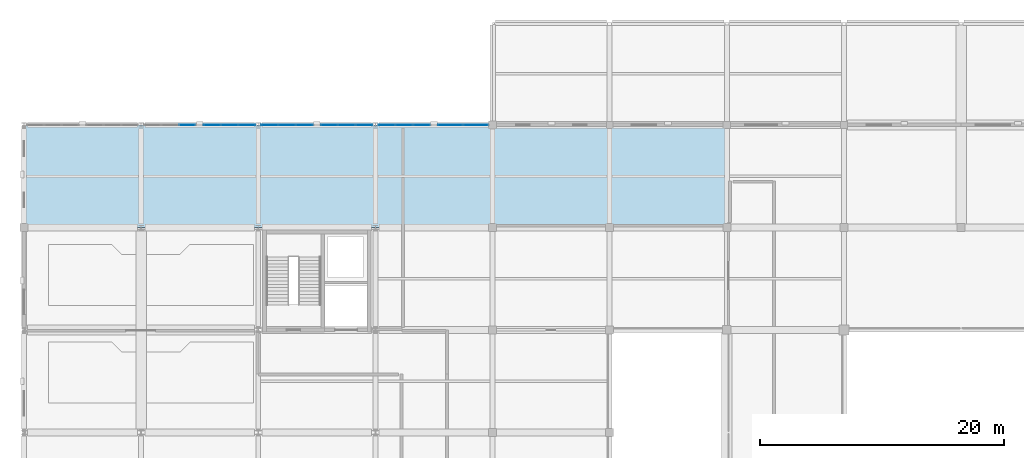
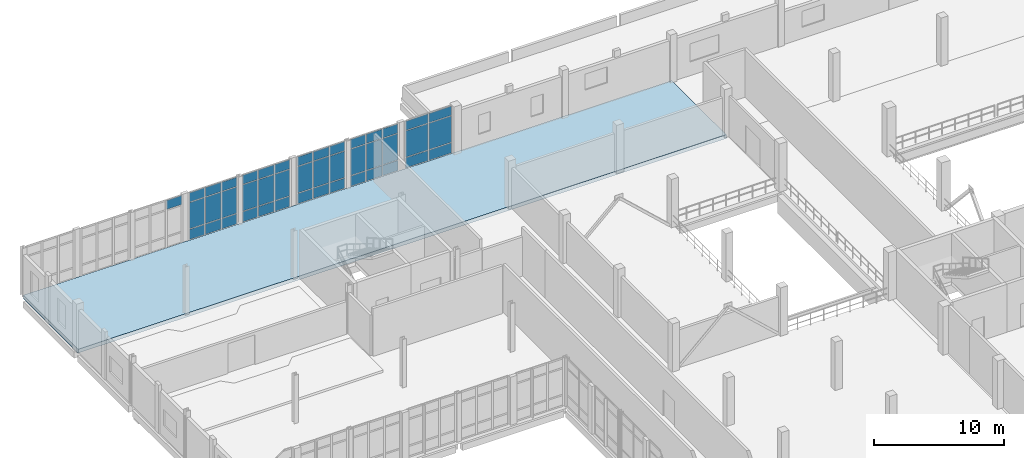
# One storey, part 82 of 102: 43 plates, 1 slab, 6 elements without a shape of their own.
"""IFC4 building model written with IfcOpenShell, lengths in metres."""

from ifc_helpers import new_model, si_unit, direction, frame, origin, origin_2d, place, context, subcontext, project, spatial, polyline, rectangle, outline, extrude, material, layer, layer_set, type_object, element, aggregate, save


model = new_model("IFC4")

# Units and contexts
model_context = context("Model", 3, precision=1e-05, world=origin(), true_north=direction((0.0, 1.0)))
body_context = subcontext(model_context, "Body", "Model", "MODEL_VIEW")
ifc_project = project(units=[si_unit("LENGTHUNIT", "METRE"), si_unit("AREAUNIT", "SQUARE_METRE"), si_unit("VOLUMEUNIT", "CUBIC_METRE"), si_unit("PLANEANGLEUNIT", "RADIAN"), si_unit("MASSUNIT", "GRAM", prefix="KILO")], contexts=[model_context])

# Site, building, storey
site_placement = place(None, origin())
site = spatial("IfcSite", under=ifc_project, at=site_placement, CompositionType="ELEMENT")
building_placement = place(site_placement, origin())
building = spatial("IfcBuilding", under=site, at=building_placement, Name="Lornevale Opera House", CompositionType="ELEMENT")
storey_placement = place(building_placement, frame((0.0, 0.0, 5.39990234375)))
storey = spatial("IfcBuildingStorey", under=building, at=storey_placement, Name="L02", CompositionType="ELEMENT", Elevation=5.39990234375)

# Curtain wall, plate
ifc_material_1 = material(Name="Anodized Oxide-Green Aluminium Framing", Category="aluminium")
ifc_layer_1 = layer(ifc_material_1, 0.175048828125)
ifc_layer_set_1 = layer_set([ifc_layer_1], Name="Anodized Oxide-Green Aluminium Framing")
curtain_wall_type = type_object("IfcCurtainWallType", Name="Chamber Cloister Curtain Wall M1700", PredefinedType="NOTDEFINED", material=ifc_layer_set_1)
curtain_wall_1_placement = place(storey_placement, origin())
curtain_wall_1 = element("IfcCurtainWall", 1, at=curtain_wall_1_placement, inside=storey, type_object=curtain_wall_type, Name="Chamber Cloister Curtain Wall M1700 CW-035", PredefinedType="NOTDEFINED")
ifc_material_2 = material(Name="Triple Low-E Insulated Glazing", Category="glass")
ifc_layer_2 = layer(ifc_material_2, 0.0419921875)
ifc_layer_set_2 = layer_set([ifc_layer_2], Name="Triple Low-E Insulated Glazing")
plate_type = type_object("IfcPlateType", Name="Ceramic Fritted Bird-Safe Panel 42", PredefinedType="CURTAIN_PANEL", material=ifc_layer_set_2)
plate_1_placement = place(storey_placement, frame((13.382568359375, 100.800048828125, 3.6025390625), z_axis=(0.0, 0.0, 1.0), x_axis=(1.0, 0.0, 0.0)))
plate_1 = element("IfcPlate", 2, at=plate_1_placement, type_object=plate_type, Name="Ceramic Fritted Bird-Safe Panel 42 CW0707", PredefinedType="CURTAIN_PANEL", context=body_context, shape_type="SweptSolid", body=[
    extrude(rectangle(XDim=1.3447265625, YDim=0.0419921875, at=origin_2d()), origin(), (0.0, 0.0, 1.0), 0.8525390625),
])
aggregate(curtain_wall_1, [plate_1])

# Curtain wall, plates
curtain_wall_2_placement = place(storey_placement, origin())
curtain_wall_2 = element("IfcCurtainWall", 3, at=curtain_wall_2_placement, inside=storey, type_object=curtain_wall_type, Name="Chamber Cloister Curtain Wall M1700 CW-036", PredefinedType="NOTDEFINED")
plate_2_placement = place(storey_placement, frame((15.41748046875, 100.800048828125, 0.0654296875), z_axis=(0.0, 0.0, 1.0), x_axis=(1.0, 0.0, 0.0)))
plate_2 = element("IfcPlate", 4, at=plate_2_placement, type_object=plate_type, Name="Ceramic Fritted Bird-Safe Panel 42 CW0716", PredefinedType="CURTAIN_PANEL", context=body_context, shape_type="SweptSolid", body=[
    extrude(rectangle(XDim=1.3447265625, YDim=0.0419921875, at=origin_2d()), origin(), (0.0, 0.0, 1.0), 0.952392578125),
])
plate_3_placement = place(storey_placement, frame((15.41748046875, 100.800048828125, 1.08251953125), z_axis=(0.0, 0.0, 1.0), x_axis=(1.0, 0.0, 0.0)))
plate_3 = element("IfcPlate", 5, at=plate_3_placement, type_object=plate_type, Name="Ceramic Fritted Bird-Safe Panel 42 CW0717", PredefinedType="CURTAIN_PANEL", context=body_context, shape_type="SweptSolid", body=[
    extrude(rectangle(XDim=1.3447265625, YDim=0.0419921875, at=origin_2d()), origin(), (0.0, 0.0, 1.0), 2.455078125),
])
plate_4_placement = place(storey_placement, frame((15.41748046875, 100.800048828125, 3.6025390625), z_axis=(0.0, 0.0, 1.0), x_axis=(1.0, 0.0, 0.0)))
plate_4 = element("IfcPlate", 6, at=plate_4_placement, type_object=plate_type, Name="Ceramic Fritted Bird-Safe Panel 42 CW0718", PredefinedType="CURTAIN_PANEL", context=body_context, shape_type="SweptSolid", body=[
    extrude(rectangle(XDim=1.3447265625, YDim=0.0419921875, at=origin_2d()), origin(), (0.0, 0.0, 1.0), 0.8525390625),
])
plate_5_placement = place(storey_placement, frame((16.843505859375, 100.800048828125, 0.0654296875), z_axis=(0.0, 0.0, 1.0), x_axis=(1.0, 0.0, 0.0)))
plate_5 = element("IfcPlate", 7, at=plate_5_placement, type_object=plate_type, Name="Ceramic Fritted Bird-Safe Panel 42 CW0723", PredefinedType="CURTAIN_PANEL", context=body_context, shape_type="SweptSolid", body=[
    extrude(rectangle(XDim=1.377197265625, YDim=0.0419921875, at=origin_2d()), origin(), (0.0, 0.0, 1.0), 0.952392578125),
])
plate_6_placement = place(storey_placement, frame((16.843505859375, 100.800048828125, 1.08251953125), z_axis=(0.0, 0.0, 1.0), x_axis=(1.0, 0.0, 0.0)))
plate_6 = element("IfcPlate", 8, at=plate_6_placement, type_object=plate_type, Name="Ceramic Fritted Bird-Safe Panel 42 CW0724", PredefinedType="CURTAIN_PANEL", context=body_context, shape_type="SweptSolid", body=[
    extrude(rectangle(XDim=1.377197265625, YDim=0.0419921875, at=origin_2d()), origin(), (0.0, 0.0, 1.0), 2.455078125),
])
plate_7_placement = place(storey_placement, frame((16.843505859375, 100.800048828125, 3.6025390625), z_axis=(0.0, 0.0, 1.0), x_axis=(1.0, 0.0, 0.0)))
plate_7 = element("IfcPlate", 9, at=plate_7_placement, type_object=plate_type, Name="Ceramic Fritted Bird-Safe Panel 42 CW0725", PredefinedType="CURTAIN_PANEL", context=body_context, shape_type="SweptSolid", body=[
    extrude(rectangle(XDim=1.377197265625, YDim=0.0419921875, at=origin_2d()), origin(), (0.0, 0.0, 1.0), 0.8525390625),
])
plate_8_placement = place(storey_placement, frame((18.26953125, 100.800048828125, 0.0654296875), z_axis=(0.0, 0.0, 1.0), x_axis=(1.0, 0.0, 0.0)))
plate_8 = element("IfcPlate", 10, at=plate_8_placement, type_object=plate_type, Name="Ceramic Fritted Bird-Safe Panel 42 CW0730", PredefinedType="CURTAIN_PANEL", context=body_context, shape_type="SweptSolid", body=[
    extrude(rectangle(XDim=1.3447265625, YDim=0.0419921875, at=origin_2d()), origin(), (0.0, 0.0, 1.0), 0.952392578125),
])
plate_9_placement = place(storey_placement, frame((18.26953125, 100.800048828125, 1.08251953125), z_axis=(0.0, 0.0, 1.0), x_axis=(1.0, 0.0, 0.0)))
plate_9 = element("IfcPlate", 11, at=plate_9_placement, type_object=plate_type, Name="Ceramic Fritted Bird-Safe Panel 42 CW0731", PredefinedType="CURTAIN_PANEL", context=body_context, shape_type="SweptSolid", body=[
    extrude(rectangle(XDim=1.3447265625, YDim=0.0419921875, at=origin_2d()), origin(), (0.0, 0.0, 1.0), 2.455078125),
])
plate_10_placement = place(storey_placement, frame((18.26953125, 100.800048828125, 3.6025390625), z_axis=(0.0, 0.0, 1.0), x_axis=(1.0, 0.0, 0.0)))
plate_10 = element("IfcPlate", 12, at=plate_10_placement, type_object=plate_type, Name="Ceramic Fritted Bird-Safe Panel 42 CW0732", PredefinedType="CURTAIN_PANEL", context=body_context, shape_type="SweptSolid", body=[
    extrude(rectangle(XDim=1.3447265625, YDim=0.0419921875, at=origin_2d()), origin(), (0.0, 0.0, 1.0), 0.8525390625),
])
aggregate(curtain_wall_2, [plate_2, plate_3, plate_4, plate_5, plate_6, plate_7, plate_8, plate_9, plate_10])

curtain_wall_3_placement = place(storey_placement, origin())
curtain_wall_3 = element("IfcCurtainWall", 13, at=curtain_wall_3_placement, inside=storey, type_object=curtain_wall_type, Name="Chamber Cloister Curtain Wall M1700 CW-043", PredefinedType="NOTDEFINED")
plate_11_placement = place(storey_placement, frame((20.13037109375, 100.800048828125, 0.0654296875), z_axis=(0.0, 0.0, 1.0), x_axis=(1.0, 0.0, 0.0)))
plate_11 = element("IfcPlate", 14, at=plate_11_placement, type_object=plate_type, Name="Ceramic Fritted Bird-Safe Panel 42 CW0891", PredefinedType="CURTAIN_PANEL", context=body_context, shape_type="SweptSolid", body=[
    extrude(rectangle(XDim=1.3447265625, YDim=0.0419921875, at=origin_2d()), origin(), (0.0, 0.0, 1.0), 0.952392578125),
])
plate_12_placement = place(storey_placement, frame((20.13037109375, 100.800048828125, 1.08251953125), z_axis=(0.0, 0.0, 1.0), x_axis=(1.0, 0.0, 0.0)))
plate_12 = element("IfcPlate", 15, at=plate_12_placement, type_object=plate_type, Name="Ceramic Fritted Bird-Safe Panel 42 CW0892", PredefinedType="CURTAIN_PANEL", context=body_context, shape_type="SweptSolid", body=[
    extrude(rectangle(XDim=1.3447265625, YDim=0.0419921875, at=origin_2d()), origin(), (0.0, 0.0, 1.0), 2.455078125),
])
plate_13_placement = place(storey_placement, frame((20.13037109375, 100.800048828125, 3.6025390625), z_axis=(0.0, 0.0, 1.0), x_axis=(1.0, 0.0, 0.0)))
plate_13 = element("IfcPlate", 16, at=plate_13_placement, type_object=plate_type, Name="Ceramic Fritted Bird-Safe Panel 42 CW0893", PredefinedType="CURTAIN_PANEL", context=body_context, shape_type="SweptSolid", body=[
    extrude(rectangle(XDim=1.3447265625, YDim=0.0419921875, at=origin_2d()), origin(), (0.0, 0.0, 1.0), 0.8525390625),
])
plate_14_placement = place(storey_placement, frame((21.556396484375, 100.800048828125, 0.0654296875), z_axis=(0.0, 0.0, 1.0), x_axis=(1.0, 0.0, 0.0)))
plate_14 = element("IfcPlate", 17, at=plate_14_placement, type_object=plate_type, Name="Ceramic Fritted Bird-Safe Panel 42 CW0898", PredefinedType="CURTAIN_PANEL", context=body_context, shape_type="SweptSolid", body=[
    extrude(rectangle(XDim=1.377197265625, YDim=0.0419921875, at=origin_2d()), origin(), (0.0, 0.0, 1.0), 0.952392578125),
])
plate_15_placement = place(storey_placement, frame((21.556396484375, 100.800048828125, 1.08251953125), z_axis=(0.0, 0.0, 1.0), x_axis=(1.0, 0.0, 0.0)))
plate_15 = element("IfcPlate", 18, at=plate_15_placement, type_object=plate_type, Name="Ceramic Fritted Bird-Safe Panel 42 CW0899", PredefinedType="CURTAIN_PANEL", context=body_context, shape_type="SweptSolid", body=[
    extrude(rectangle(XDim=1.377197265625, YDim=0.0419921875, at=origin_2d()), origin(), (0.0, 0.0, 1.0), 2.455078125),
])
plate_16_placement = place(storey_placement, frame((21.556396484375, 100.800048828125, 3.6025390625), z_axis=(0.0, 0.0, 1.0), x_axis=(1.0, 0.0, 0.0)))
plate_16 = element("IfcPlate", 19, at=plate_16_placement, type_object=plate_type, Name="Ceramic Fritted Bird-Safe Panel 42 CW0900", PredefinedType="CURTAIN_PANEL", context=body_context, shape_type="SweptSolid", body=[
    extrude(rectangle(XDim=1.377197265625, YDim=0.0419921875, at=origin_2d()), origin(), (0.0, 0.0, 1.0), 0.8525390625),
])
plate_17_placement = place(storey_placement, frame((22.982666015625, 100.800048828125, 0.0654296875), z_axis=(0.0, 0.0, 1.0), x_axis=(1.0, 0.0, 0.0)))
plate_17 = element("IfcPlate", 20, at=plate_17_placement, type_object=plate_type, Name="Ceramic Fritted Bird-Safe Panel 42 CW0905", PredefinedType="CURTAIN_PANEL", context=body_context, shape_type="SweptSolid", body=[
    extrude(rectangle(XDim=1.3447265625, YDim=0.0419921875, at=origin_2d()), origin(), (0.0, 0.0, 1.0), 0.952392578125),
])
plate_18_placement = place(storey_placement, frame((22.982666015625, 100.800048828125, 1.08251953125), z_axis=(0.0, 0.0, 1.0), x_axis=(1.0, 0.0, 0.0)))
plate_18 = element("IfcPlate", 21, at=plate_18_placement, type_object=plate_type, Name="Ceramic Fritted Bird-Safe Panel 42 CW0906", PredefinedType="CURTAIN_PANEL", context=body_context, shape_type="SweptSolid", body=[
    extrude(rectangle(XDim=1.3447265625, YDim=0.0419921875, at=origin_2d()), origin(), (0.0, 0.0, 1.0), 2.455078125),
])
plate_19_placement = place(storey_placement, frame((22.982666015625, 100.800048828125, 3.6025390625), z_axis=(0.0, 0.0, 1.0), x_axis=(1.0, 0.0, 0.0)))
plate_19 = element("IfcPlate", 22, at=plate_19_placement, type_object=plate_type, Name="Ceramic Fritted Bird-Safe Panel 42 CW0907", PredefinedType="CURTAIN_PANEL", context=body_context, shape_type="SweptSolid", body=[
    extrude(rectangle(XDim=1.3447265625, YDim=0.0419921875, at=origin_2d()), origin(), (0.0, 0.0, 1.0), 0.8525390625),
])
aggregate(curtain_wall_3, [plate_11, plate_12, plate_13, plate_14, plate_15, plate_16, plate_17, plate_18, plate_19])

curtain_wall_4_placement = place(storey_placement, origin())
curtain_wall_4 = element("IfcCurtainWall", 23, at=curtain_wall_4_placement, inside=storey, type_object=curtain_wall_type, Name="Chamber Cloister Curtain Wall M1700 CW-044", PredefinedType="NOTDEFINED")
plate_20_placement = place(storey_placement, frame((25.017333984375, 100.800048828125, 0.0654296875), z_axis=(0.0, 0.0, 1.0), x_axis=(1.0, 0.0, 0.0)))
plate_20 = element("IfcPlate", 24, at=plate_20_placement, type_object=plate_type, Name="Ceramic Fritted Bird-Safe Panel 42 CW0916", PredefinedType="CURTAIN_PANEL", context=body_context, shape_type="SweptSolid", body=[
    extrude(rectangle(XDim=1.3447265625, YDim=0.0419921875, at=origin_2d()), origin(), (0.0, 0.0, 1.0), 0.952392578125),
])
plate_21_placement = place(storey_placement, frame((25.017333984375, 100.800048828125, 1.08251953125), z_axis=(0.0, 0.0, 1.0), x_axis=(1.0, 0.0, 0.0)))
plate_21 = element("IfcPlate", 25, at=plate_21_placement, type_object=plate_type, Name="Ceramic Fritted Bird-Safe Panel 42 CW0917", PredefinedType="CURTAIN_PANEL", context=body_context, shape_type="SweptSolid", body=[
    extrude(rectangle(XDim=1.3447265625, YDim=0.0419921875, at=origin_2d()), origin(), (0.0, 0.0, 1.0), 2.455078125),
])
plate_22_placement = place(storey_placement, frame((25.017333984375, 100.800048828125, 3.6025390625), z_axis=(0.0, 0.0, 1.0), x_axis=(1.0, 0.0, 0.0)))
plate_22 = element("IfcPlate", 26, at=plate_22_placement, type_object=plate_type, Name="Ceramic Fritted Bird-Safe Panel 42 CW0918", PredefinedType="CURTAIN_PANEL", context=body_context, shape_type="SweptSolid", body=[
    extrude(rectangle(XDim=1.3447265625, YDim=0.0419921875, at=origin_2d()), origin(), (0.0, 0.0, 1.0), 0.8525390625),
])
plate_23_placement = place(storey_placement, frame((26.443603515625, 100.800048828125, 0.0654296875), z_axis=(0.0, 0.0, 1.0), x_axis=(1.0, 0.0, 0.0)))
plate_23 = element("IfcPlate", 27, at=plate_23_placement, type_object=plate_type, Name="Ceramic Fritted Bird-Safe Panel 42 CW0923", PredefinedType="CURTAIN_PANEL", context=body_context, shape_type="SweptSolid", body=[
    extrude(rectangle(XDim=1.377197265625, YDim=0.0419921875, at=origin_2d()), origin(), (0.0, 0.0, 1.0), 0.952392578125),
])
plate_24_placement = place(storey_placement, frame((26.443603515625, 100.800048828125, 1.08251953125), z_axis=(0.0, 0.0, 1.0), x_axis=(1.0, 0.0, 0.0)))
plate_24 = element("IfcPlate", 28, at=plate_24_placement, type_object=plate_type, Name="Ceramic Fritted Bird-Safe Panel 42 CW0924", PredefinedType="CURTAIN_PANEL", context=body_context, shape_type="SweptSolid", body=[
    extrude(rectangle(XDim=1.377197265625, YDim=0.0419921875, at=origin_2d()), origin(), (0.0, 0.0, 1.0), 2.455078125),
])
plate_25_placement = place(storey_placement, frame((26.443603515625, 100.800048828125, 3.6025390625), z_axis=(0.0, 0.0, 1.0), x_axis=(1.0, 0.0, 0.0)))
plate_25 = element("IfcPlate", 29, at=plate_25_placement, type_object=plate_type, Name="Ceramic Fritted Bird-Safe Panel 42 CW0925", PredefinedType="CURTAIN_PANEL", context=body_context, shape_type="SweptSolid", body=[
    extrude(rectangle(XDim=1.377197265625, YDim=0.0419921875, at=origin_2d()), origin(), (0.0, 0.0, 1.0), 0.8525390625),
])
plate_26_placement = place(storey_placement, frame((27.86962890625, 100.800048828125, 0.0654296875), z_axis=(0.0, 0.0, 1.0), x_axis=(1.0, 0.0, 0.0)))
plate_26 = element("IfcPlate", 30, at=plate_26_placement, type_object=plate_type, Name="Ceramic Fritted Bird-Safe Panel 42 CW0930", PredefinedType="CURTAIN_PANEL", context=body_context, shape_type="SweptSolid", body=[
    extrude(rectangle(XDim=1.3447265625, YDim=0.0419921875, at=origin_2d()), origin(), (0.0, 0.0, 1.0), 0.952392578125),
])
plate_27_placement = place(storey_placement, frame((27.86962890625, 100.800048828125, 1.08251953125), z_axis=(0.0, 0.0, 1.0), x_axis=(1.0, 0.0, 0.0)))
plate_27 = element("IfcPlate", 31, at=plate_27_placement, type_object=plate_type, Name="Ceramic Fritted Bird-Safe Panel 42 CW0931", PredefinedType="CURTAIN_PANEL", context=body_context, shape_type="SweptSolid", body=[
    extrude(rectangle(XDim=1.3447265625, YDim=0.0419921875, at=origin_2d()), origin(), (0.0, 0.0, 1.0), 2.455078125),
])
plate_28_placement = place(storey_placement, frame((27.86962890625, 100.800048828125, 3.6025390625), z_axis=(0.0, 0.0, 1.0), x_axis=(1.0, 0.0, 0.0)))
plate_28 = element("IfcPlate", 32, at=plate_28_placement, type_object=plate_type, Name="Ceramic Fritted Bird-Safe Panel 42 CW0932", PredefinedType="CURTAIN_PANEL", context=body_context, shape_type="SweptSolid", body=[
    extrude(rectangle(XDim=1.3447265625, YDim=0.0419921875, at=origin_2d()), origin(), (0.0, 0.0, 1.0), 0.8525390625),
])
aggregate(curtain_wall_4, [plate_20, plate_21, plate_22, plate_23, plate_24, plate_25, plate_26, plate_27, plate_28])

curtain_wall_5_placement = place(storey_placement, origin())
curtain_wall_5 = element("IfcCurtainWall", 33, at=curtain_wall_5_placement, inside=storey, type_object=curtain_wall_type, Name="Chamber Cloister Curtain Wall M1700 CW-061", PredefinedType="NOTDEFINED")
plate_29_placement = place(storey_placement, frame((29.73046875, 100.800048828125, 0.0654296875), z_axis=(0.0, 0.0, 1.0), x_axis=(1.0, 0.0, 0.0)))
plate_29 = element("IfcPlate", 34, at=plate_29_placement, type_object=plate_type, Name="Ceramic Fritted Bird-Safe Panel 42 CW1221", PredefinedType="CURTAIN_PANEL", context=body_context, shape_type="SweptSolid", body=[
    extrude(rectangle(XDim=1.3447265625, YDim=0.0419921875, at=origin_2d()), origin(), (0.0, 0.0, 1.0), 0.952392578125),
])
plate_30_placement = place(storey_placement, frame((29.73046875, 100.800048828125, 1.08251953125), z_axis=(0.0, 0.0, 1.0), x_axis=(1.0, 0.0, 0.0)))
plate_30 = element("IfcPlate", 35, at=plate_30_placement, type_object=plate_type, Name="Ceramic Fritted Bird-Safe Panel 42 CW1222", PredefinedType="CURTAIN_PANEL", context=body_context, shape_type="SweptSolid", body=[
    extrude(rectangle(XDim=1.3447265625, YDim=0.0419921875, at=origin_2d()), origin(), (0.0, 0.0, 1.0), 2.455078125),
])
plate_31_placement = place(storey_placement, frame((29.73046875, 100.800048828125, 3.6025390625), z_axis=(0.0, 0.0, 1.0), x_axis=(1.0, 0.0, 0.0)))
plate_31 = element("IfcPlate", 36, at=plate_31_placement, type_object=plate_type, Name="Ceramic Fritted Bird-Safe Panel 42 CW1223", PredefinedType="CURTAIN_PANEL", context=body_context, shape_type="SweptSolid", body=[
    extrude(rectangle(XDim=1.3447265625, YDim=0.0419921875, at=origin_2d()), origin(), (0.0, 0.0, 1.0), 0.8525390625),
])
plate_32_placement = place(storey_placement, frame((31.156494140625, 100.800048828125, 0.0654296875), z_axis=(0.0, 0.0, 1.0), x_axis=(1.0, 0.0, 0.0)))
plate_32 = element("IfcPlate", 37, at=plate_32_placement, type_object=plate_type, Name="Ceramic Fritted Bird-Safe Panel 42 CW1228", PredefinedType="CURTAIN_PANEL", context=body_context, shape_type="SweptSolid", body=[
    extrude(rectangle(XDim=1.377197265625, YDim=0.0419921875, at=origin_2d()), origin(), (0.0, 0.0, 1.0), 0.952392578125),
])
plate_33_placement = place(storey_placement, frame((31.156494140625, 100.800048828125, 1.08251953125), z_axis=(0.0, 0.0, 1.0), x_axis=(1.0, 0.0, 0.0)))
plate_33 = element("IfcPlate", 38, at=plate_33_placement, type_object=plate_type, Name="Ceramic Fritted Bird-Safe Panel 42 CW1229", PredefinedType="CURTAIN_PANEL", context=body_context, shape_type="SweptSolid", body=[
    extrude(rectangle(XDim=1.377197265625, YDim=0.0419921875, at=origin_2d()), origin(), (0.0, 0.0, 1.0), 2.455078125),
])
plate_34_placement = place(storey_placement, frame((31.156494140625, 100.800048828125, 3.6025390625), z_axis=(0.0, 0.0, 1.0), x_axis=(1.0, 0.0, 0.0)))
plate_34 = element("IfcPlate", 39, at=plate_34_placement, type_object=plate_type, Name="Ceramic Fritted Bird-Safe Panel 42 CW1230", PredefinedType="CURTAIN_PANEL", context=body_context, shape_type="SweptSolid", body=[
    extrude(rectangle(XDim=1.377197265625, YDim=0.0419921875, at=origin_2d()), origin(), (0.0, 0.0, 1.0), 0.8525390625),
])
plate_35_placement = place(storey_placement, frame((32.58251953125, 100.800048828125, 0.0654296875), z_axis=(0.0, 0.0, 1.0), x_axis=(1.0, 0.0, 0.0)))
plate_35 = element("IfcPlate", 40, at=plate_35_placement, type_object=plate_type, Name="Ceramic Fritted Bird-Safe Panel 42 CW1235", PredefinedType="CURTAIN_PANEL", context=body_context, shape_type="SweptSolid", body=[
    extrude(rectangle(XDim=1.3447265625, YDim=0.0419921875, at=origin_2d()), origin(), (0.0, 0.0, 1.0), 0.952392578125),
])
plate_36_placement = place(storey_placement, frame((32.58251953125, 100.800048828125, 1.08251953125), z_axis=(0.0, 0.0, 1.0), x_axis=(1.0, 0.0, 0.0)))
plate_36 = element("IfcPlate", 41, at=plate_36_placement, type_object=plate_type, Name="Ceramic Fritted Bird-Safe Panel 42 CW1236", PredefinedType="CURTAIN_PANEL", context=body_context, shape_type="SweptSolid", body=[
    extrude(rectangle(XDim=1.3447265625, YDim=0.0419921875, at=origin_2d()), origin(), (0.0, 0.0, 1.0), 2.455078125),
])
plate_37_placement = place(storey_placement, frame((32.58251953125, 100.800048828125, 3.6025390625), z_axis=(0.0, 0.0, 1.0), x_axis=(1.0, 0.0, 0.0)))
plate_37 = element("IfcPlate", 42, at=plate_37_placement, type_object=plate_type, Name="Ceramic Fritted Bird-Safe Panel 42 CW1237", PredefinedType="CURTAIN_PANEL", context=body_context, shape_type="SweptSolid", body=[
    extrude(rectangle(XDim=1.3447265625, YDim=0.0419921875, at=origin_2d()), origin(), (0.0, 0.0, 1.0), 0.8525390625),
])
aggregate(curtain_wall_5, [plate_29, plate_30, plate_31, plate_32, plate_33, plate_34, plate_35, plate_36, plate_37])

curtain_wall_6_placement = place(storey_placement, origin())
curtain_wall_6 = element("IfcCurtainWall", 43, at=curtain_wall_6_placement, inside=storey, type_object=curtain_wall_type, Name="Chamber Cloister Curtain Wall M1700 CW-062", PredefinedType="NOTDEFINED")
plate_38_placement = place(storey_placement, frame((34.946044921875, 100.800048828125, 0.0654296875), z_axis=(0.0, 0.0, 1.0), x_axis=(1.0, 0.0, 0.0)))
plate_38 = element("IfcPlate", 44, at=plate_38_placement, type_object=plate_type, Name="Ceramic Fritted Bird-Safe Panel 42 CW1245", PredefinedType="CURTAIN_PANEL", context=body_context, shape_type="SweptSolid", body=[
    extrude(rectangle(XDim=2.001953125, YDim=0.0419921875, at=origin_2d()), origin(), (0.0, 0.0, 1.0), 0.952392578125),
])
plate_39_placement = place(storey_placement, frame((34.946044921875, 100.800048828125, 1.08251953125), z_axis=(0.0, 0.0, 1.0), x_axis=(1.0, 0.0, 0.0)))
plate_39 = element("IfcPlate", 45, at=plate_39_placement, type_object=plate_type, Name="Ceramic Fritted Bird-Safe Panel 42 CW1246", PredefinedType="CURTAIN_PANEL", context=body_context, shape_type="SweptSolid", body=[
    extrude(rectangle(XDim=2.001953125, YDim=0.0419921875, at=origin_2d()), origin(), (0.0, 0.0, 1.0), 2.455078125),
])
plate_40_placement = place(storey_placement, frame((34.946044921875, 100.800048828125, 3.6025390625), z_axis=(0.0, 0.0, 1.0), x_axis=(1.0, 0.0, 0.0)))
plate_40 = element("IfcPlate", 46, at=plate_40_placement, type_object=plate_type, Name="Ceramic Fritted Bird-Safe Panel 42 CW1247", PredefinedType="CURTAIN_PANEL", context=body_context, shape_type="SweptSolid", body=[
    extrude(rectangle(XDim=2.001953125, YDim=0.0419921875, at=origin_2d()), origin(), (0.0, 0.0, 1.0), 0.8525390625),
])
plate_41_placement = place(storey_placement, frame((37.012939453125, 100.800048828125, 0.0654296875), z_axis=(0.0, 0.0, 1.0), x_axis=(1.0, 0.0, 0.0)))
plate_41 = element("IfcPlate", 47, at=plate_41_placement, type_object=plate_type, Name="Ceramic Fritted Bird-Safe Panel 42 CW1252", PredefinedType="CURTAIN_PANEL", context=body_context, shape_type="SweptSolid", body=[
    extrude(rectangle(XDim=2.001953125, YDim=0.0419921875, at=origin_2d()), origin(), (0.0, 0.0, 1.0), 0.952392578125),
])
plate_42_placement = place(storey_placement, frame((37.012939453125, 100.800048828125, 1.08251953125), z_axis=(0.0, 0.0, 1.0), x_axis=(1.0, 0.0, 0.0)))
plate_42 = element("IfcPlate", 48, at=plate_42_placement, type_object=plate_type, Name="Ceramic Fritted Bird-Safe Panel 42 CW1253", PredefinedType="CURTAIN_PANEL", context=body_context, shape_type="SweptSolid", body=[
    extrude(rectangle(XDim=2.001953125, YDim=0.0419921875, at=origin_2d()), origin(), (0.0, 0.0, 1.0), 2.455078125),
])
plate_43_placement = place(storey_placement, frame((37.012939453125, 100.800048828125, 3.6025390625), z_axis=(0.0, 0.0, 1.0), x_axis=(1.0, 0.0, 0.0)))
plate_43 = element("IfcPlate", 49, at=plate_43_placement, type_object=plate_type, Name="Ceramic Fritted Bird-Safe Panel 42 CW1254", PredefinedType="CURTAIN_PANEL", context=body_context, shape_type="SweptSolid", body=[
    extrude(rectangle(XDim=2.001953125, YDim=0.0419921875, at=origin_2d()), origin(), (0.0, 0.0, 1.0), 0.8525390625),
])
aggregate(curtain_wall_6, [plate_38, plate_39, plate_40, plate_41, plate_42, plate_43])

# Slab
ifc_material_3 = material(Name="Concrete 35 MPa (CSA A23.1 N)", Category="concrete")
ifc_layer_3 = layer(ifc_material_3, 0.35009765625)
ifc_layer_set_3 = layer_set([ifc_layer_3], Name="Concrete 35 MPa (CSA A23.1 N)")
slab_type = type_object("IfcSlabType", Name="Rehearsal Stage Floating Slab 350", PredefinedType="FLOOR", material=ifc_layer_set_3)
slab_placement = place(storey_placement, frame((0.0, 0.0, -0.349853515625)))
element("IfcSlab", 50, at=slab_placement, inside=storey, type_object=slab_type, Name="Rehearsal Stage Floating Slab 350 SL-040", PredefinedType="FLOOR", context=body_context, shape_type="SweptSolid", body=[
    extrude(outline(polyline([(0.0, 100.800048828125), (9.60009765625, 100.800048828125), (19.199951171875, 100.800048828125), (28.800048828125, 100.800048828125), (38.39990234375, 100.800048828125), (48.0, 100.800048828125), (57.60009765625, 100.800048828125), (57.60009765625, 92.39990234375), (48.0, 92.39990234375), (38.39990234375, 92.39990234375), (28.800048828125, 92.39990234375), (19.199951171875, 92.39990234375), (9.60009765625, 92.39990234375), (0.0, 92.39990234375), (0.0, 100.800048828125)])), origin(), (0.0, 0.0, 1.0), 0.349853515625),
])

save(model, "model.ifc")
